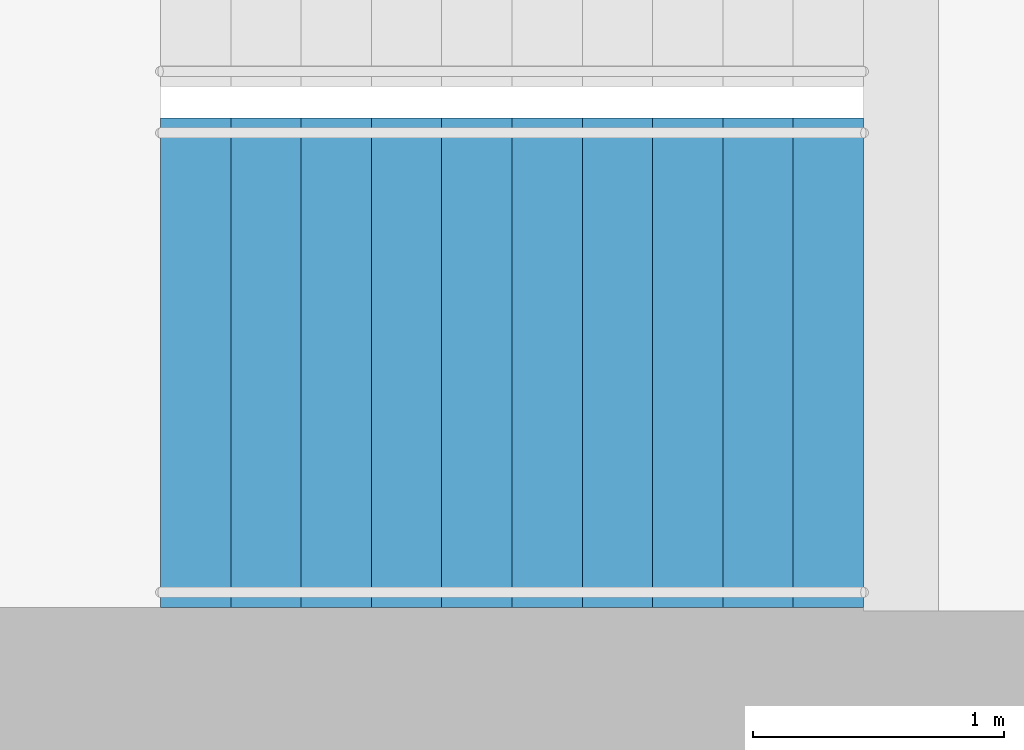
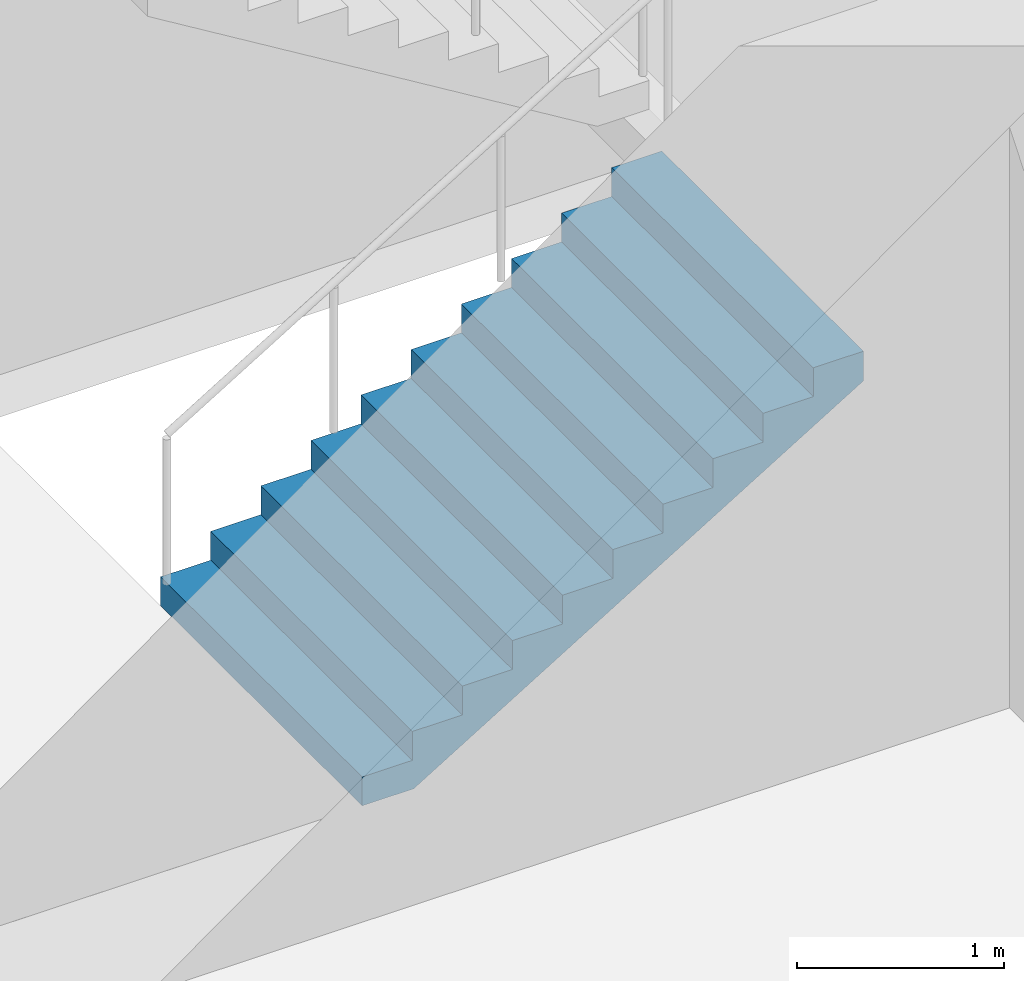
# One storey, part 18 of 22: 1 stair flight, 1 element without a shape of its own.
"""IFC4 building model written with IfcOpenShell, lengths in metres."""

from ifc_helpers import new_model, si_unit, direction, frame, origin, place, context, subcontext, project, spatial, triangles, material, type_object, element, aggregate, save


model = new_model("IFC4")

# Units and contexts
model_context = context("Model", 3, precision=1e-05, world=origin(), true_north=direction((0.0, 1.0)))
body_context = subcontext(model_context, "Body", "Model", "MODEL_VIEW")
ifc_project = project(units=[si_unit("LENGTHUNIT", "METRE"), si_unit("AREAUNIT", "SQUARE_METRE"), si_unit("VOLUMEUNIT", "CUBIC_METRE"), si_unit("PLANEANGLEUNIT", "RADIAN"), si_unit("MASSUNIT", "GRAM", prefix="KILO")], contexts=[model_context])

# Site, building, storey
site_placement = place(None, origin())
site = spatial("IfcSite", under=ifc_project, at=site_placement, CompositionType="ELEMENT")
building_placement = place(site_placement, origin())
building = spatial("IfcBuilding", under=site, at=building_placement, Name="Orbita Commons", CompositionType="ELEMENT")
storey_placement = place(building_placement, frame((0.0, 0.0, 167.35009765625)))
storey = spatial("IfcBuildingStorey", under=building, at=storey_placement, Name="L41", CompositionType="ELEMENT", Elevation=167.35009765625)

# Stair, stair flight
ifc_material_1 = material(Name="Precast concrete C40/50", Category="concrete")
stair_type = type_object("IfcStairType", Name="Exit stair S1 2 flights 11 risers 170", PredefinedType="HALF_TURN_STAIR", material=ifc_material_1)
stair_placement = place(storey_placement, origin())
stair = element("IfcStair", 1, at=stair_placement, inside=storey, type_object=stair_type, Name="Exit stair S1 L41", PredefinedType="HALF_TURN_STAIR")
ifc_material_2 = material(Name="Precast concrete C40/50", Category="concrete")
stair_flight_type = type_object("IfcStairFlightType", Name="Stair flight 11 risers 170 x 280", PredefinedType="STRAIGHT", material=ifc_material_2)
stair_flight_placement = place(storey_placement, frame((20.449951171875, 27.199951171875, 0.0), z_axis=(0.0, 0.0, 1.0), x_axis=(1.0, 0.0, 0.0)))
stair_flight = element("IfcStairFlight", 2, at=stair_flight_placement, type_object=stair_flight_type, Name="S1 flight 1", NumberOfRisers=11, NumberOfTreads=10, PredefinedType="STRAIGHT", RiserHeight=0.170454545, TreadLength=0.28, context=body_context, shape_type="Tessellation", body=[
    triangles([(0.0, 0.974976, 0.0), (0.0, 0.974976, 0.021307), (0.0, 0.81248, 0.021307), (0.0, 0.81248, 0.0), (0.0, 0.649984, 0.021307), (0.0, 0.649984, 0.0), (0.0, 0.487488, 0.021307), (0.0, 0.487488, 0.0), (0.0, 0.324992, 0.021307), (0.0, 0.324992, 0.0), (0.0, 0.162496, 0.021307), (0.0, 0.162496, 0.0), (0.0, 0.0, 0.021307), (0.0, 0.0, 0.0), (0.0, -0.162496, 0.021307), (0.0, -0.162496, 0.0), (0.0, -0.324992, 0.021307), (0.0, -0.324992, 0.0), (0.0, -0.487488, 0.021307), (0.0, -0.487488, 0.0), (0.0, -0.649984, 0.021307), (0.0, -0.649984, 0.0), (0.0, -0.81248, 0.021307), (0.0, -0.81248, 0.0), (0.0, -0.974976, 0.021307), (0.0, -0.974976, 0.0), (0.0, 0.974976, 0.042614), (0.0, 0.81248, 0.042614), (0.0, 0.649984, 0.042614), (0.0, 0.487488, 0.042614), (0.0, 0.324992, 0.042614), (0.0, 0.162496, 0.042614), (0.0, 0.0, 0.042614), (0.0, -0.162496, 0.042614), (0.0, -0.324992, 0.042614), (0.0, -0.487488, 0.042614), (0.0, -0.649984, 0.042614), (0.0, -0.81248, 0.042614), (0.0, -0.974976, 0.042614), (0.0, 0.974976, 0.06392), (0.0, 0.81248, 0.06392), (0.0, 0.649984, 0.06392), (0.0, 0.487488, 0.06392), (0.0, 0.324992, 0.06392), (0.0, 0.162496, 0.06392), (0.0, 0.0, 0.06392), (0.0, -0.162496, 0.06392), (0.0, -0.324992, 0.06392), (0.0, -0.487488, 0.06392), (0.0, -0.649984, 0.06392), (0.0, -0.81248, 0.06392), (0.0, -0.974976, 0.06392), (0.0, 0.974976, 0.085227), (0.0, 0.81248, 0.085227), (0.0, 0.649984, 0.085227), (0.0, 0.487488, 0.085227), (0.0, 0.324992, 0.085227), (0.0, 0.162496, 0.085227), (0.0, 0.0, 0.085227), (0.0, -0.162496, 0.085227), (0.0, -0.324992, 0.085227), (0.0, -0.487488, 0.085227), (0.0, -0.649984, 0.085227), (0.0, -0.81248, 0.085227), (0.0, -0.974976, 0.085227), (0.0, 0.974976, 0.106534), (0.0, 0.81248, 0.106534), (0.0, 0.649984, 0.106534), (0.0, 0.487488, 0.106534), (0.0, 0.324992, 0.106534), (0.0, 0.162496, 0.106534), (0.0, 0.0, 0.106534), (0.0, -0.162496, 0.106534), (0.0, -0.324992, 0.106534), (0.0, -0.487488, 0.106534), (0.0, -0.649984, 0.106534), (0.0, -0.81248, 0.106534), (0.0, -0.974976, 0.106534), (0.0, 0.974976, 0.127841), (0.0, 0.81248, 0.127841), (0.0, 0.649984, 0.127841), (0.0, 0.487488, 0.127841), (0.0, 0.324992, 0.127841), (0.0, 0.162496, 0.127841), (0.0, 0.0, 0.127841), (0.0, -0.162496, 0.127841), (0.0, -0.324992, 0.127841), (0.0, -0.487488, 0.127841), (0.0, -0.649984, 0.127841), (0.0, -0.81248, 0.127841), (0.0, -0.974976, 0.127841), (0.0, 0.974976, 0.149148), (0.0, 0.81248, 0.149148), (0.0, 0.649984, 0.149148), (0.0, 0.487488, 0.149148), (0.0, 0.324992, 0.149148), (0.0, 0.162496, 0.149148), (0.0, 0.0, 0.149148), (0.0, -0.162496, 0.149148), (0.0, -0.324992, 0.149148), (0.0, -0.487488, 0.149148), (0.0, -0.649984, 0.149148), (0.0, -0.81248, 0.149148), (0.0, -0.974976, 0.149148), (0.0, 0.974976, 0.170455), (0.0, 0.81248, 0.170455), (0.0, 0.649984, 0.170455), (0.0, 0.487488, 0.170455), (0.0, 0.324992, 0.170455), (0.0, 0.162496, 0.170455), (0.0, 0.0, 0.170455), (0.0, -0.162496, 0.170455), (0.0, -0.324992, 0.170455), (0.0, -0.487488, 0.170455), (0.0, -0.649984, 0.170455), (0.0, -0.81248, 0.170455), (0.0, -0.974976, 0.170455), (0.28, 0.974976, 0.170455), (0.28, 0.81248, 0.170455), (0.28, 0.649984, 0.170455), (0.28, 0.487488, 0.170455), (0.28, 0.324992, 0.170455), (0.28, 0.162496, 0.170455), (0.28, 0.0, 0.170455), (0.28, -0.162496, 0.170455), (0.28, -0.324992, 0.170455), (0.28, -0.487488, 0.170455), (0.28, -0.649984, 0.170455), (0.28, -0.81248, 0.170455), (0.28, -0.974976, 0.170455), (0.28, 0.974976, 0.340909), (0.28, 0.81248, 0.340909), (0.28, 0.649984, 0.340909), (0.28, 0.487488, 0.340909), (0.28, 0.324992, 0.340909), (0.28, 0.162496, 0.340909), (0.28, 0.0, 0.340909), (0.28, -0.162496, 0.340909), (0.28, -0.324992, 0.340909), (0.28, -0.487488, 0.340909), (0.28, -0.649984, 0.340909), (0.28, -0.81248, 0.340909), (0.28, -0.974976, 0.340909), (0.56, 0.974976, 0.340909), (0.56, 0.81248, 0.340909), (0.56, 0.649984, 0.340909), (0.56, 0.487488, 0.340909), (0.56, 0.324992, 0.340909), (0.56, 0.162496, 0.340909), (0.56, 0.0, 0.340909), (0.56, -0.162496, 0.340909), (0.56, -0.324992, 0.340909), (0.56, -0.487488, 0.340909), (0.56, -0.649984, 0.340909), (0.56, -0.81248, 0.340909), (0.56, -0.974976, 0.340909), (0.56, 0.974976, 0.511364), (0.56, 0.81248, 0.511364), (0.56, 0.649984, 0.511364), (0.56, 0.487488, 0.511364), (0.56, 0.324992, 0.511364), (0.56, 0.162496, 0.511364), (0.56, 0.0, 0.511364), (0.56, -0.162496, 0.511364), (0.56, -0.324992, 0.511364), (0.56, -0.487488, 0.511364), (0.56, -0.649984, 0.511364), (0.56, -0.81248, 0.511364), (0.56, -0.974976, 0.511364), (0.84, 0.974976, 0.511364), (0.84, 0.81248, 0.511364), (0.84, 0.649984, 0.511364), (0.84, 0.487488, 0.511364), (0.84, 0.324992, 0.511364), (0.84, 0.162496, 0.511364), (0.84, 0.0, 0.511364), (0.84, -0.162496, 0.511364), (0.84, -0.324992, 0.511364), (0.84, -0.487488, 0.511364), (0.84, -0.649984, 0.511364), (0.84, -0.81248, 0.511364), (0.84, -0.974976, 0.511364), (0.84, 0.974976, 0.681818), (0.84, 0.81248, 0.681818), (0.84, 0.649984, 0.681818), (0.84, 0.487488, 0.681818), (0.84, 0.324992, 0.681818), (0.84, 0.162496, 0.681818), (0.84, 0.0, 0.681818), (0.84, -0.162496, 0.681818), (0.84, -0.324992, 0.681818), (0.84, -0.487488, 0.681818), (0.84, -0.649984, 0.681818), (0.84, -0.81248, 0.681818), (0.84, -0.974976, 0.681818), (1.12, 0.974976, 0.681818), (1.12, 0.81248, 0.681818), (1.12, 0.649984, 0.681818), (1.12, 0.487488, 0.681818), (1.12, 0.324992, 0.681818), (1.12, 0.162496, 0.681818), (1.12, 0.0, 0.681818), (1.12, -0.162496, 0.681818), (1.12, -0.324992, 0.681818), (1.12, -0.487488, 0.681818), (1.12, -0.649984, 0.681818), (1.12, -0.81248, 0.681818), (1.12, -0.974976, 0.681818), (1.12, 0.974976, 0.852273), (1.12, 0.81248, 0.852273), (1.12, 0.649984, 0.852273), (1.12, 0.487488, 0.852273), (1.12, 0.324992, 0.852273), (1.12, 0.162496, 0.852273), (1.12, 0.0, 0.852273), (1.12, -0.162496, 0.852273), (1.12, -0.324992, 0.852273), (1.12, -0.487488, 0.852273), (1.12, -0.649984, 0.852273), (1.12, -0.81248, 0.852273), (1.12, -0.974976, 0.852273), (1.4, 0.974976, 0.852273), (1.4, 0.81248, 0.852273), (1.4, 0.649984, 0.852273), (1.4, 0.487488, 0.852273), (1.4, 0.324992, 0.852273), (1.4, 0.162496, 0.852273), (1.4, 0.0, 0.852273), (1.4, -0.162496, 0.852273), (1.4, -0.324992, 0.852273), (1.4, -0.487488, 0.852273), (1.4, -0.649984, 0.852273), (1.4, -0.81248, 0.852273), (1.4, -0.974976, 0.852273), (1.4, 0.974976, 1.022727), (1.4, 0.81248, 1.022727), (1.4, 0.649984, 1.022727), (1.4, 0.487488, 1.022727), (1.4, 0.324992, 1.022727), (1.4, 0.162496, 1.022727), (1.4, 0.0, 1.022727), (1.4, -0.162496, 1.022727), (1.4, -0.324992, 1.022727), (1.4, -0.487488, 1.022727), (1.4, -0.649984, 1.022727), (1.4, -0.81248, 1.022727), (1.4, -0.974976, 1.022727), (1.68, 0.974976, 1.022727), (1.68, 0.81248, 1.022727), (1.68, 0.649984, 1.022727), (1.68, 0.487488, 1.022727), (1.68, 0.324992, 1.022727), (1.68, 0.162496, 1.022727), (1.68, 0.0, 1.022727), (1.68, -0.162496, 1.022727), (1.68, -0.324992, 1.022727), (1.68, -0.487488, 1.022727), (1.68, -0.649984, 1.022727), (1.68, -0.81248, 1.022727), (1.68, -0.974976, 1.022727), (1.68, 0.974976, 1.193182), (1.68, 0.81248, 1.193182), (1.68, 0.649984, 1.193182), (1.68, 0.487488, 1.193182), (1.68, 0.324992, 1.193182), (1.68, 0.162496, 1.193182), (1.68, 0.0, 1.193182), (1.68, -0.162496, 1.193182), (1.68, -0.324992, 1.193182), (1.68, -0.487488, 1.193182), (1.68, -0.649984, 1.193182), (1.68, -0.81248, 1.193182), (1.68, -0.974976, 1.193182), (1.96, 0.974976, 1.193182), (1.96, 0.81248, 1.193182), (1.96, 0.649984, 1.193182), (1.96, 0.487488, 1.193182), (1.96, 0.324992, 1.193182), (1.96, 0.162496, 1.193182), (1.96, 0.0, 1.193182), (1.96, -0.162496, 1.193182), (1.96, -0.324992, 1.193182), (1.96, -0.487488, 1.193182), (1.96, -0.649984, 1.193182), (1.96, -0.81248, 1.193182), (1.96, -0.974976, 1.193182), (1.96, 0.974976, 1.363636), (1.96, 0.81248, 1.363636), (1.96, 0.649984, 1.363636), (1.96, 0.487488, 1.363636), (1.96, 0.324992, 1.363636), (1.96, 0.162496, 1.363636), (1.96, 0.0, 1.363636), (1.96, -0.162496, 1.363636), (1.96, -0.324992, 1.363636), (1.96, -0.487488, 1.363636), (1.96, -0.649984, 1.363636), (1.96, -0.81248, 1.363636), (1.96, -0.974976, 1.363636), (2.24, 0.974976, 1.363636), (2.24, 0.81248, 1.363636), (2.24, 0.649984, 1.363636), (2.24, 0.487488, 1.363636), (2.24, 0.324992, 1.363636), (2.24, 0.162496, 1.363636), (2.24, 0.0, 1.363636), (2.24, -0.162496, 1.363636), (2.24, -0.324992, 1.363636), (2.24, -0.487488, 1.363636), (2.24, -0.649984, 1.363636), (2.24, -0.81248, 1.363636), (2.24, -0.974976, 1.363636), (2.24, 0.974976, 1.534091), (2.24, 0.81248, 1.534091), (2.24, 0.649984, 1.534091), (2.24, 0.487488, 1.534091), (2.24, 0.324992, 1.534091), (2.24, 0.162496, 1.534091), (2.24, 0.0, 1.534091), (2.24, -0.162496, 1.534091), (2.24, -0.324992, 1.534091), (2.24, -0.487488, 1.534091), (2.24, -0.649984, 1.534091), (2.24, -0.81248, 1.534091), (2.24, -0.974976, 1.534091), (2.52, 0.974976, 1.534091), (2.52, 0.81248, 1.534091), (2.52, 0.649984, 1.534091), (2.52, 0.487488, 1.534091), (2.52, 0.324992, 1.534091), (2.52, 0.162496, 1.534091), (2.52, 0.0, 1.534091), (2.52, -0.162496, 1.534091), (2.52, -0.324992, 1.534091), (2.52, -0.487488, 1.534091), (2.52, -0.649984, 1.534091), (2.52, -0.81248, 1.534091), (2.52, -0.974976, 1.534091), (2.52, 0.974976, 1.704545), (2.52, 0.81248, 1.704545), (2.52, 0.649984, 1.704545), (2.52, 0.487488, 1.704545), (2.52, 0.324992, 1.704545), (2.52, 0.162496, 1.704545), (2.52, 0.0, 1.704545), (2.52, -0.162496, 1.704545), (2.52, -0.324992, 1.704545), (2.52, -0.487488, 1.704545), (2.52, -0.649984, 1.704545), (2.52, -0.81248, 1.704545), (2.52, -0.974976, 1.704545), (2.8, 0.974976, 1.704545), (2.8, 0.81248, 1.704545), (2.8, 0.649984, 1.704545), (2.8, 0.487488, 1.704545), (2.8, 0.324992, 1.704545), (2.8, 0.162496, 1.704545), (2.8, 0.0, 1.704545), (2.8, -0.162496, 1.704545), (2.8, -0.324992, 1.704545), (2.8, -0.487488, 1.704545), (2.8, -0.649984, 1.704545), (2.8, -0.81248, 1.704545), (2.8, -0.974976, 1.704545), (2.8, 0.974976, 1.682609), (2.8, 0.81248, 1.682609), (2.8, 0.649984, 1.682609), (2.8, 0.487488, 1.682609), (2.8, 0.324992, 1.682609), (2.8, 0.162496, 1.682609), (2.8, 0.0, 1.682609), (2.8, -0.162496, 1.682609), (2.8, -0.324992, 1.682609), (2.8, -0.487488, 1.682609), (2.8, -0.649984, 1.682609), (2.8, -0.81248, 1.682609), (2.8, -0.974976, 1.682609), (2.8, 0.974976, 1.660672), (2.8, 0.81248, 1.660672), (2.8, 0.649984, 1.660672), (2.8, 0.487488, 1.660672), (2.8, 0.324992, 1.660672), (2.8, 0.162496, 1.660672), (2.8, 0.0, 1.660672), (2.8, -0.162496, 1.660672), (2.8, -0.324992, 1.660672), (2.8, -0.487488, 1.660672), (2.8, -0.649984, 1.660672), (2.8, -0.81248, 1.660672), (2.8, -0.974976, 1.660672), (2.8, 0.974976, 1.638735), (2.8, 0.81248, 1.638735), (2.8, 0.649984, 1.638735), (2.8, 0.487488, 1.638735), (2.8, 0.324992, 1.638735), (2.8, 0.162496, 1.638735), (2.8, 0.0, 1.638735), (2.8, -0.162496, 1.638735), (2.8, -0.324992, 1.638735), (2.8, -0.487488, 1.638735), (2.8, -0.649984, 1.638735), (2.8, -0.81248, 1.638735), (2.8, -0.974976, 1.638735), (2.8, 0.974976, 1.616798), (2.8, 0.81248, 1.616798), (2.8, 0.649984, 1.616798), (2.8, 0.487488, 1.616798), (2.8, 0.324992, 1.616798), (2.8, 0.162496, 1.616798), (2.8, 0.0, 1.616798), (2.8, -0.162496, 1.616798), (2.8, -0.324992, 1.616798), (2.8, -0.487488, 1.616798), (2.8, -0.649984, 1.616798), (2.8, -0.81248, 1.616798), (2.8, -0.974976, 1.616798), (2.8, 0.974976, 1.594861), (2.8, 0.81248, 1.594861), (2.8, 0.649984, 1.594861), (2.8, 0.487488, 1.594861), (2.8, 0.324992, 1.594861), (2.8, 0.162496, 1.594861), (2.8, 0.0, 1.594861), (2.8, -0.162496, 1.594861), (2.8, -0.324992, 1.594861), (2.8, -0.487488, 1.594861), (2.8, -0.649984, 1.594861), (2.8, -0.81248, 1.594861), (2.8, -0.974976, 1.594861), (2.8, 0.974976, 1.572925), (2.8, 0.81248, 1.572925), (2.8, 0.649984, 1.572925), (2.8, 0.487488, 1.572925), (2.8, 0.324992, 1.572925), (2.8, 0.162496, 1.572925), (2.8, 0.0, 1.572925), (2.8, -0.162496, 1.572925), (2.8, -0.324992, 1.572925), (2.8, -0.487488, 1.572925), (2.8, -0.649984, 1.572925), (2.8, -0.81248, 1.572925), (2.8, -0.974976, 1.572925), (2.8, 0.974976, 1.550988), (2.8, 0.81248, 1.550988), (2.8, 0.649984, 1.550988), (2.8, 0.487488, 1.550988), (2.8, 0.324992, 1.550988), (2.8, 0.162496, 1.550988), (2.8, 0.0, 1.550988), (2.8, -0.162496, 1.550988), (2.8, -0.324992, 1.550988), (2.8, -0.487488, 1.550988), (2.8, -0.649984, 1.550988), (2.8, -0.81248, 1.550988), (2.8, -0.974976, 1.550988), (2.8, 0.974976, 1.529051), (2.8, 0.81248, 1.529051), (2.8, 0.649984, 1.529051), (2.8, 0.487488, 1.529051), (2.8, 0.324992, 1.529051), (2.8, 0.162496, 1.529051), (2.8, 0.0, 1.529051), (2.8, -0.162496, 1.529051), (2.8, -0.324992, 1.529051), (2.8, -0.487488, 1.529051), (2.8, -0.649984, 1.529051), (2.8, -0.81248, 1.529051), (2.8, -0.974976, 1.529051), (0.288279, 0.974976, 0.0), (0.288279, 0.81248, 0.0), (0.288279, 0.649984, 0.0), (0.288279, 0.487488, 0.0), (0.288279, 0.324992, 0.0), (0.288279, 0.162496, 0.0), (0.288279, 0.0, 0.0), (0.288279, -0.162496, 0.0), (0.288279, -0.324992, 0.0), (0.288279, -0.487488, 0.0), (0.288279, -0.649984, 0.0), (0.288279, -0.81248, 0.0), (0.288279, -0.974976, 0.0)], [[3, 2, 1], [4, 3, 1], [5, 3, 4], [6, 5, 4], [7, 5, 6], [8, 7, 6], [9, 7, 8], [10, 9, 8], [11, 9, 10], [12, 11, 10], [13, 11, 12], [14, 13, 12], [15, 13, 14], [16, 15, 14], [17, 15, 16], [18, 17, 16], [19, 17, 18], [20, 19, 18], [21, 19, 20], [22, 21, 20], [23, 21, 22], [24, 23, 22], [25, 23, 24], [26, 25, 24], [28, 27, 2], [3, 28, 2], [29, 28, 3], [5, 29, 3], [30, 29, 5], [7, 30, 5], [31, 30, 7], [9, 31, 7], [32, 31, 9], [11, 32, 9], [33, 32, 11], [13, 33, 11], [34, 33, 13], [15, 34, 13], [35, 34, 15], [17, 35, 15], [36, 35, 17], [19, 36, 17], [37, 36, 19], [21, 37, 19], [38, 37, 21], [23, 38, 21], [39, 38, 23], [25, 39, 23], [41, 40, 27], [28, 41, 27], [42, 41, 28], [29, 42, 28], [43, 42, 29], [30, 43, 29], [44, 43, 30], [31, 44, 30], [45, 44, 31], [32, 45, 31], [46, 45, 32], [33, 46, 32], [47, 46, 33], [34, 47, 33], [48, 47, 34], [35, 48, 34], [49, 48, 35], [36, 49, 35], [50, 49, 36], [37, 50, 36], [51, 50, 37], [38, 51, 37], [52, 51, 38], [39, 52, 38], [54, 53, 40], [41, 54, 40], [55, 54, 41], [42, 55, 41], [56, 55, 42], [43, 56, 42], [57, 56, 43], [44, 57, 43], [58, 57, 44], [45, 58, 44], [59, 58, 45], [46, 59, 45], [60, 59, 46], [47, 60, 46], [61, 60, 47], [48, 61, 47], [62, 61, 48], [49, 62, 48], [63, 62, 49], [50, 63, 49], [64, 63, 50], [51, 64, 50], [65, 64, 51], [52, 65, 51], [67, 66, 53], [54, 67, 53], [68, 67, 54], [55, 68, 54], [69, 68, 55], [56, 69, 55], [70, 69, 56], [57, 70, 56], [71, 70, 57], [58, 71, 57], [72, 71, 58], [59, 72, 58], [73, 72, 59], [60, 73, 59], [74, 73, 60], [61, 74, 60], [75, 74, 61], [62, 75, 61], [76, 75, 62], [63, 76, 62], [77, 76, 63], [64, 77, 63], [78, 77, 64], [65, 78, 64], [80, 79, 66], [67, 80, 66], [81, 80, 67], [68, 81, 67], [82, 81, 68], [69, 82, 68], [83, 82, 69], [70, 83, 69], [84, 83, 70], [71, 84, 70], [85, 84, 71], [72, 85, 71], [86, 85, 72], [73, 86, 72], [87, 86, 73], [74, 87, 73], [88, 87, 74], [75, 88, 74], [89, 88, 75], [76, 89, 75], [90, 89, 76], [77, 90, 76], [91, 90, 77], [78, 91, 77], [93, 92, 79], [80, 93, 79], [94, 93, 80], [81, 94, 80], [95, 94, 81], [82, 95, 81], [96, 95, 82], [83, 96, 82], [97, 96, 83], [84, 97, 83], [98, 97, 84], [85, 98, 84], [99, 98, 85], [86, 99, 85], [100, 99, 86], [87, 100, 86], [101, 100, 87], [88, 101, 87], [102, 101, 88], [89, 102, 88], [103, 102, 89], [90, 103, 89], [104, 103, 90], [91, 104, 90], [106, 105, 92], [93, 106, 92], [107, 106, 93], [94, 107, 93], [108, 107, 94], [95, 108, 94], [109, 108, 95], [96, 109, 95], [110, 109, 96], [97, 110, 96], [111, 110, 97], [98, 111, 97], [112, 111, 98], [99, 112, 98], [113, 112, 99], [100, 113, 99], [114, 113, 100], [101, 114, 100], [115, 114, 101], [102, 115, 101], [116, 115, 102], [103, 116, 102], [117, 116, 103], [104, 117, 103], [119, 118, 105], [106, 119, 105], [120, 119, 106], [107, 120, 106], [121, 120, 107], [108, 121, 107], [122, 121, 108], [109, 122, 108], [123, 122, 109], [110, 123, 109], [124, 123, 110], [111, 124, 110], [125, 124, 111], [112, 125, 111], [126, 125, 112], [113, 126, 112], [127, 126, 113], [114, 127, 113], [128, 127, 114], [115, 128, 114], [129, 128, 115], [116, 129, 115], [130, 129, 116], [117, 130, 116], [132, 131, 118], [119, 132, 118], [133, 132, 119], [120, 133, 119], [134, 133, 120], [121, 134, 120], [135, 134, 121], [122, 135, 121], [136, 135, 122], [123, 136, 122], [137, 136, 123], [124, 137, 123], [138, 137, 124], [125, 138, 124], [139, 138, 125], [126, 139, 125], [140, 139, 126], [127, 140, 126], [141, 140, 127], [128, 141, 127], [142, 141, 128], [129, 142, 128], [143, 142, 129], [130, 143, 129], [145, 144, 131], [132, 145, 131], [146, 145, 132], [133, 146, 132], [147, 146, 133], [134, 147, 133], [148, 147, 134], [135, 148, 134], [149, 148, 135], [136, 149, 135], [150, 149, 136], [137, 150, 136], [151, 150, 137], [138, 151, 137], [152, 151, 138], [139, 152, 138], [153, 152, 139], [140, 153, 139], [154, 153, 140], [141, 154, 140], [155, 154, 141], [142, 155, 141], [156, 155, 142], [143, 156, 142], [158, 157, 144], [145, 158, 144], [159, 158, 145], [146, 159, 145], [160, 159, 146], [147, 160, 146], [161, 160, 147], [148, 161, 147], [162, 161, 148], [149, 162, 148], [163, 162, 149], [150, 163, 149], [164, 163, 150], [151, 164, 150], [165, 164, 151], [152, 165, 151], [166, 165, 152], [153, 166, 152], [167, 166, 153], [154, 167, 153], [168, 167, 154], [155, 168, 154], [169, 168, 155], [156, 169, 155], [171, 170, 157], [158, 171, 157], [172, 171, 158], [159, 172, 158], [173, 172, 159], [160, 173, 159], [174, 173, 160], [161, 174, 160], [175, 174, 161], [162, 175, 161], [176, 175, 162], [163, 176, 162], [177, 176, 163], [164, 177, 163], [178, 177, 164], [165, 178, 164], [179, 178, 165], [166, 179, 165], [180, 179, 166], [167, 180, 166], [181, 180, 167], [168, 181, 167], [182, 181, 168], [169, 182, 168], [184, 183, 170], [171, 184, 170], [185, 184, 171], [172, 185, 171], [186, 185, 172], [173, 186, 172], [187, 186, 173], [174, 187, 173], [188, 187, 174], [175, 188, 174], [189, 188, 175], [176, 189, 175], [190, 189, 176], [177, 190, 176], [191, 190, 177], [178, 191, 177], [192, 191, 178], [179, 192, 178], [193, 192, 179], [180, 193, 179], [194, 193, 180], [181, 194, 180], [195, 194, 181], [182, 195, 181], [197, 196, 183], [184, 197, 183], [198, 197, 184], [185, 198, 184], [199, 198, 185], [186, 199, 185], [200, 199, 186], [187, 200, 186], [201, 200, 187], [188, 201, 187], [202, 201, 188], [189, 202, 188], [203, 202, 189], [190, 203, 189], [204, 203, 190], [191, 204, 190], [205, 204, 191], [192, 205, 191], [206, 205, 192], [193, 206, 192], [207, 206, 193], [194, 207, 193], [208, 207, 194], [195, 208, 194], [210, 209, 196], [197, 210, 196], [211, 210, 197], [198, 211, 197], [212, 211, 198], [199, 212, 198], [213, 212, 199], [200, 213, 199], [214, 213, 200], [201, 214, 200], [215, 214, 201], [202, 215, 201], [216, 215, 202], [203, 216, 202], [217, 216, 203], [204, 217, 203], [218, 217, 204], [205, 218, 204], [219, 218, 205], [206, 219, 205], [220, 219, 206], [207, 220, 206], [221, 220, 207], [208, 221, 207], [223, 222, 209], [210, 223, 209], [224, 223, 210], [211, 224, 210], [225, 224, 211], [212, 225, 211], [226, 225, 212], [213, 226, 212], [227, 226, 213], [214, 227, 213], [228, 227, 214], [215, 228, 214], [229, 228, 215], [216, 229, 215], [230, 229, 216], [217, 230, 216], [231, 230, 217], [218, 231, 217], [232, 231, 218], [219, 232, 218], [233, 232, 219], [220, 233, 219], [234, 233, 220], [221, 234, 220], [236, 235, 222], [223, 236, 222], [237, 236, 223], [224, 237, 223], [238, 237, 224], [225, 238, 224], [239, 238, 225], [226, 239, 225], [240, 239, 226], [227, 240, 226], [241, 240, 227], [228, 241, 227], [242, 241, 228], [229, 242, 228], [243, 242, 229], [230, 243, 229], [244, 243, 230], [231, 244, 230], [245, 244, 231], [232, 245, 231], [246, 245, 232], [233, 246, 232], [247, 246, 233], [234, 247, 233], [249, 248, 235], [236, 249, 235], [250, 249, 236], [237, 250, 236], [251, 250, 237], [238, 251, 237], [252, 251, 238], [239, 252, 238], [253, 252, 239], [240, 253, 239], [254, 253, 240], [241, 254, 240], [255, 254, 241], [242, 255, 241], [256, 255, 242], [243, 256, 242], [257, 256, 243], [244, 257, 243], [258, 257, 244], [245, 258, 244], [259, 258, 245], [246, 259, 245], [260, 259, 246], [247, 260, 246], [262, 261, 248], [249, 262, 248], [263, 262, 249], [250, 263, 249], [264, 263, 250], [251, 264, 250], [265, 264, 251], [252, 265, 251], [266, 265, 252], [253, 266, 252], [267, 266, 253], [254, 267, 253], [268, 267, 254], [255, 268, 254], [269, 268, 255], [256, 269, 255], [270, 269, 256], [257, 270, 256], [271, 270, 257], [258, 271, 257], [272, 271, 258], [259, 272, 258], [273, 272, 259], [260, 273, 259], [275, 274, 261], [262, 275, 261], [276, 275, 262], [263, 276, 262], [277, 276, 263], [264, 277, 263], [278, 277, 264], [265, 278, 264], [279, 278, 265], [266, 279, 265], [280, 279, 266], [267, 280, 266], [281, 280, 267], [268, 281, 267], [282, 281, 268], [269, 282, 268], [283, 282, 269], [270, 283, 269], [284, 283, 270], [271, 284, 270], [285, 284, 271], [272, 285, 271], [286, 285, 272], [273, 286, 272], [288, 287, 274], [275, 288, 274], [289, 288, 275], [276, 289, 275], [290, 289, 276], [277, 290, 276], [291, 290, 277], [278, 291, 277], [292, 291, 278], [279, 292, 278], [293, 292, 279], [280, 293, 279], [294, 293, 280], [281, 294, 280], [295, 294, 281], [282, 295, 281], [296, 295, 282], [283, 296, 282], [297, 296, 283], [284, 297, 283], [298, 297, 284], [285, 298, 284], [299, 298, 285], [286, 299, 285], [301, 300, 287], [288, 301, 287], [302, 301, 288], [289, 302, 288], [303, 302, 289], [290, 303, 289], [304, 303, 290], [291, 304, 290], [305, 304, 291], [292, 305, 291], [306, 305, 292], [293, 306, 292], [307, 306, 293], [294, 307, 293], [308, 307, 294], [295, 308, 294], [309, 308, 295], [296, 309, 295], [310, 309, 296], [297, 310, 296], [311, 310, 297], [298, 311, 297], [312, 311, 298], [299, 312, 298], [314, 313, 300], [301, 314, 300], [315, 314, 301], [302, 315, 301], [316, 315, 302], [303, 316, 302], [317, 316, 303], [304, 317, 303], [318, 317, 304], [305, 318, 304], [319, 318, 305], [306, 319, 305], [320, 319, 306], [307, 320, 306], [321, 320, 307], [308, 321, 307], [322, 321, 308], [309, 322, 308], [323, 322, 309], [310, 323, 309], [324, 323, 310], [311, 324, 310], [325, 324, 311], [312, 325, 311], [327, 326, 313], [314, 327, 313], [328, 327, 314], [315, 328, 314], [329, 328, 315], [316, 329, 315], [330, 329, 316], [317, 330, 316], [331, 330, 317], [318, 331, 317], [332, 331, 318], [319, 332, 318], [333, 332, 319], [320, 333, 319], [334, 333, 320], [321, 334, 320], [335, 334, 321], [322, 335, 321], [336, 335, 322], [323, 336, 322], [337, 336, 323], [324, 337, 323], [338, 337, 324], [325, 338, 324], [340, 339, 326], [327, 340, 326], [341, 340, 327], [328, 341, 327], [342, 341, 328], [329, 342, 328], [343, 342, 329], [330, 343, 329], [344, 343, 330], [331, 344, 330], [345, 344, 331], [332, 345, 331], [346, 345, 332], [333, 346, 332], [347, 346, 333], [334, 347, 333], [348, 347, 334], [335, 348, 334], [349, 348, 335], [336, 349, 335], [350, 349, 336], [337, 350, 336], [351, 350, 337], [338, 351, 337], [353, 352, 339], [340, 353, 339], [354, 353, 340], [341, 354, 340], [355, 354, 341], [342, 355, 341], [356, 355, 342], [343, 356, 342], [357, 356, 343], [344, 357, 343], [358, 357, 344], [345, 358, 344], [359, 358, 345], [346, 359, 345], [360, 359, 346], [347, 360, 346], [361, 360, 347], [348, 361, 347], [362, 361, 348], [349, 362, 348], [363, 362, 349], [350, 363, 349], [364, 363, 350], [351, 364, 350], [366, 365, 352], [353, 366, 352], [367, 366, 353], [354, 367, 353], [368, 367, 354], [355, 368, 354], [369, 368, 355], [356, 369, 355], [370, 369, 356], [357, 370, 356], [371, 370, 357], [358, 371, 357], [372, 371, 358], [359, 372, 358], [373, 372, 359], [360, 373, 359], [374, 373, 360], [361, 374, 360], [375, 374, 361], [362, 375, 361], [376, 375, 362], [363, 376, 362], [377, 376, 363], [364, 377, 363], [379, 378, 365], [366, 379, 365], [380, 379, 366], [367, 380, 366], [381, 380, 367], [368, 381, 367], [382, 381, 368], [369, 382, 368], [383, 382, 369], [370, 383, 369], [384, 383, 370], [371, 384, 370], [385, 384, 371], [372, 385, 371], [386, 385, 372], [373, 386, 372], [387, 386, 373], [374, 387, 373], [388, 387, 374], [375, 388, 374], [389, 388, 375], [376, 389, 375], [390, 389, 376], [377, 390, 376], [392, 391, 378], [379, 392, 378], [393, 392, 379], [380, 393, 379], [394, 393, 380], [381, 394, 380], [395, 394, 381], [382, 395, 381], [396, 395, 382], [383, 396, 382], [397, 396, 383], [384, 397, 383], [398, 397, 384], [385, 398, 384], [399, 398, 385], [386, 399, 385], [400, 399, 386], [387, 400, 386], [401, 400, 387], [388, 401, 387], [402, 401, 388], [389, 402, 388], [403, 402, 389], [390, 403, 389], [405, 404, 391], [392, 405, 391], [406, 405, 392], [393, 406, 392], [407, 406, 393], [394, 407, 393], [408, 407, 394], [395, 408, 394], [409, 408, 395], [396, 409, 395], [410, 409, 396], [397, 410, 396], [411, 410, 397], [398, 411, 397], [412, 411, 398], [399, 412, 398], [413, 412, 399], [400, 413, 399], [414, 413, 400], [401, 414, 400], [415, 414, 401], [402, 415, 401], [416, 415, 402], [403, 416, 402], [418, 417, 404], [405, 418, 404], [419, 418, 405], [406, 419, 405], [420, 419, 406], [407, 420, 406], [421, 420, 407], [408, 421, 407], [422, 421, 408], [409, 422, 408], [423, 422, 409], [410, 423, 409], [424, 423, 410], [411, 424, 410], [425, 424, 411], [412, 425, 411], [426, 425, 412], [413, 426, 412], [427, 426, 413], [414, 427, 413], [428, 427, 414], [415, 428, 414], [429, 428, 415], [416, 429, 415], [431, 430, 417], [418, 431, 417], [432, 431, 418], [419, 432, 418], [433, 432, 419], [420, 433, 419], [434, 433, 420], [421, 434, 420], [435, 434, 421], [422, 435, 421], [436, 435, 422], [423, 436, 422], [437, 436, 423], [424, 437, 423], [438, 437, 424], [425, 438, 424], [439, 438, 425], [426, 439, 425], [440, 439, 426], [427, 440, 426], [441, 440, 427], [428, 441, 427], [442, 441, 428], [429, 442, 428], [444, 443, 430], [431, 444, 430], [445, 444, 431], [432, 445, 431], [446, 445, 432], [433, 446, 432], [447, 446, 433], [434, 447, 433], [448, 447, 434], [435, 448, 434], [449, 448, 435], [436, 449, 435], [450, 449, 436], [437, 450, 436], [451, 450, 437], [438, 451, 437], [452, 451, 438], [439, 452, 438], [453, 452, 439], [440, 453, 439], [454, 453, 440], [441, 454, 440], [455, 454, 441], [442, 455, 441], [457, 456, 443], [444, 457, 443], [458, 457, 444], [445, 458, 444], [459, 458, 445], [446, 459, 445], [460, 459, 446], [447, 460, 446], [461, 460, 447], [448, 461, 447], [462, 461, 448], [449, 462, 448], [463, 462, 449], [450, 463, 449], [464, 463, 450], [451, 464, 450], [465, 464, 451], [452, 465, 451], [466, 465, 452], [453, 466, 452], [467, 466, 453], [454, 467, 453], [468, 467, 454], [455, 468, 454], [470, 469, 456], [457, 470, 456], [471, 470, 457], [458, 471, 457], [472, 471, 458], [459, 472, 458], [473, 472, 459], [460, 473, 459], [474, 473, 460], [461, 474, 460], [475, 474, 461], [462, 475, 461], [476, 475, 462], [463, 476, 462], [477, 476, 463], [464, 477, 463], [478, 477, 464], [465, 478, 464], [479, 478, 465], [466, 479, 465], [480, 479, 466], [467, 480, 466], [481, 480, 467], [468, 481, 467], [4, 1, 469], [470, 4, 469], [6, 4, 470], [471, 6, 470], [8, 6, 471], [472, 8, 471], [10, 8, 472], [473, 10, 472], [12, 10, 473], [474, 12, 473], [14, 12, 474], [475, 14, 474], [16, 14, 475], [476, 16, 475], [18, 16, 476], [477, 18, 476], [20, 18, 477], [478, 20, 477], [22, 20, 478], [479, 22, 478], [24, 22, 479], [480, 24, 479], [26, 24, 480], [481, 26, 480], [456, 469, 1], [26, 481, 468], [443, 456, 1], [26, 468, 455], [430, 443, 1], [26, 455, 442], [417, 430, 1], [26, 442, 429], [404, 417, 1], [26, 429, 416], [391, 404, 1], [26, 416, 403], [378, 391, 1], [26, 403, 390], [365, 378, 1], [26, 390, 377], [339, 352, 365], [377, 364, 351], [326, 339, 365], [377, 351, 338], [300, 313, 326], [338, 325, 312], [300, 326, 365], [377, 338, 312], [274, 287, 300], [312, 299, 286], [274, 300, 365], [377, 312, 286], [248, 261, 274], [286, 273, 260], [248, 274, 365], [377, 286, 260], [222, 235, 248], [260, 247, 234], [222, 248, 365], [377, 260, 234], [196, 209, 222], [234, 221, 208], [196, 222, 365], [377, 234, 208], [170, 183, 196], [208, 195, 182], [170, 196, 365], [377, 208, 182], [144, 157, 170], [182, 169, 156], [144, 170, 365], [377, 182, 156], [118, 131, 144], [156, 143, 130], [118, 144, 365], [377, 156, 130], [118, 365, 1], [26, 377, 130], [92, 105, 118], [130, 117, 104], [79, 92, 118], [130, 104, 91], [66, 79, 118], [130, 91, 78], [53, 66, 118], [130, 78, 65], [40, 53, 118], [130, 65, 52], [27, 40, 118], [130, 52, 39], [2, 27, 118], [130, 39, 25], [1, 2, 118], [130, 25, 26]], closed=True),
])
aggregate(stair, [stair_flight])

save(model, "model.ifc")
